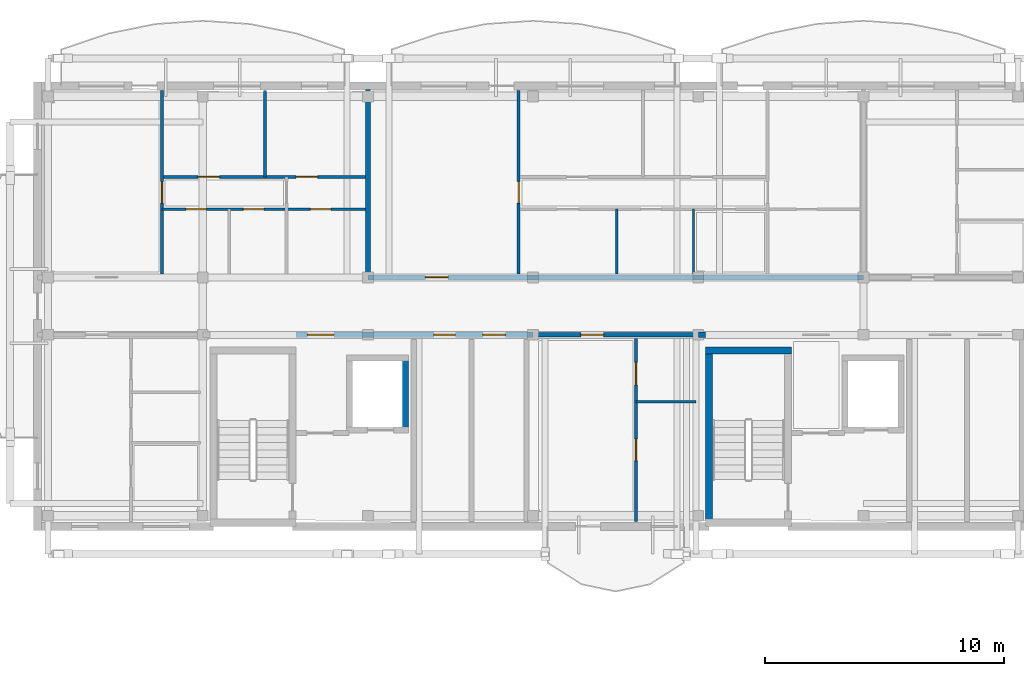
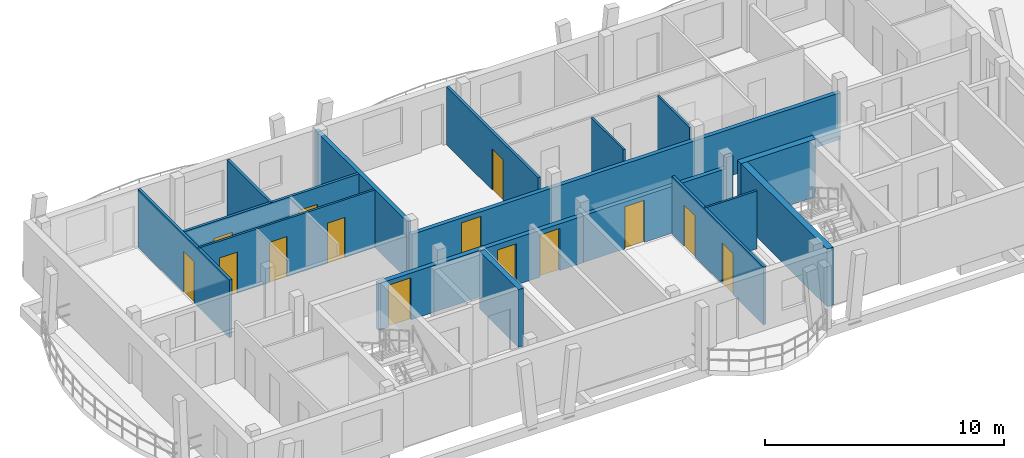
# One storey, part 21 of 42: 17 walls, 14 doors, 14 openings.
"""IFC4 building model written with IfcOpenShell, lengths in metres."""

from ifc_helpers import new_model, si_unit, direction, frame, frame_2d, origin, origin_with_axes, place, context, subcontext, project, spatial, rectangle, extrude, material, layer, layer_set, type_object, element, fill, save


model = new_model("IFC4")

# Units and contexts
model_context = context("Model", 3, precision=1e-05, world=origin(), true_north=direction((0.0, 1.0)))
body_context = subcontext(model_context, "Body", "Model", "MODEL_VIEW")
ifc_project = project(units=[si_unit("LENGTHUNIT", "METRE"), si_unit("AREAUNIT", "SQUARE_METRE"), si_unit("VOLUMEUNIT", "CUBIC_METRE"), si_unit("PLANEANGLEUNIT", "RADIAN"), si_unit("MASSUNIT", "GRAM", prefix="KILO")], contexts=[model_context])

# Site, building, storey
site_placement = place(None, origin())
site = spatial("IfcSite", under=ifc_project, at=site_placement, CompositionType="ELEMENT")
building_placement = place(site_placement, origin())
building = spatial("IfcBuilding", under=site, at=building_placement, Name="Zavelmont Quarter", CompositionType="ELEMENT")
storey_placement = place(building_placement, frame((0.0, 0.0, 24.0)))
storey = spatial("IfcBuildingStorey", under=building, at=storey_placement, Name="L07", CompositionType="ELEMENT", Elevation=24.0)

# Wall
ifc_material_1 = material(Name="Calcium-silicate blockwork and acoustic plaster", Category="masonry")
ifc_layer_1 = layer(ifc_material_1, 0.199951171875)
ifc_layer_set_1 = layer_set([ifc_layer_1], Name="Calcium-silicate blockwork and acoustic plaster")
wall_type_1 = type_object("IfcWallType", Name="IW01", PredefinedType="PARTITIONING", material=ifc_layer_set_1)
wall_1_placement = place(storey_placement, frame((13.800048828125, 108.14990234375, 0.0), z_axis=(0.0, 0.0, 1.0), x_axis=(0.0, 1.0, 0.0)))
element("IfcWall", 1, at=wall_1_placement, inside=storey, type_object=wall_type_1, Name="L07 Inter-dwelling compartment wall IW01", PredefinedType="PARTITIONING", context=body_context, shape_type="SweptSolid", body=[
    extrude(rectangle(XDim=7.7001953125, YDim=0.199951171875, at=frame_2d((3.85009765625, 0.0))), origin(), (0.0, 0.0, 1.0), 2.949951171875),
])

# Wall, opening, door
wall_2_placement = place(storey_placement, frame((13.800048828125, 108.0, 0.0), z_axis=(0.0, 0.0, 1.0), x_axis=(1.0, 0.0, 0.0)))
wall_2 = element("IfcWall", 2, at=wall_2_placement, inside=storey, type_object=wall_type_1, Name="L07 Corridor compartment wall IW01", PredefinedType="PARTITIONING", context=body_context, shape_type="SweptSolid", body=[
    extrude(rectangle(XDim=20.699951171875, YDim=0.199951171875, at=frame_2d((10.35009765625, 0.0))), origin(), (0.0, 0.0, 1.0), 2.389892578125),
])
opening_1_placement = place(wall_2_placement, frame((2.39990234375, 0.0, 0.0)))
opening_1 = element("IfcOpeningElement", 3, at=opening_1_placement, cuts=wall_2, Name="Opening DR02", PredefinedType="OPENING", context=body_context, shape_type="SweptSolid", body=[
    extrude(rectangle(XDim=0.949951171875, YDim=2.14990234375, at=frame_2d((0.47509765625, 1.074951171875))), frame((0.0, 0.11181640625, 0.0), z_axis=(0.0, -1.0, 0.0), x_axis=(1.0, 0.0, 0.0)), (0.0, 0.0, 1.0), 0.223876953125),
])
ifc_material_2 = material(Name="Solid-core oak fire leaf in steel frame", Category="steel")
door_type_1 = type_object("IfcDoorType", Name="DR02", OperationType="NOTDEFINED", PredefinedType="DOOR", material=ifc_material_2)
door_1_placement = place(opening_1_placement, origin_with_axes())
door_1 = element("IfcDoor", 4, at=door_1_placement, inside=storey, type_object=door_type_1, Name="L07 door DR02", OperationType="SINGLE_SWING_RIGHT", OverallHeight=2.14990234375, OverallWidth=0.949951171875, PredefinedType="DOOR", context=body_context, shape_type="SweptSolid", body=[
    extrude(rectangle(XDim=0.949951171875, YDim=2.14990234375, at=frame_2d((0.47509765625, 1.074951171875))), frame((0.0, 0.02490234375, 0.0), z_axis=(0.0, -1.0, 0.0), x_axis=(1.0, 0.0, 0.0)), (0.0, 0.0, 1.0), 0.050048828125),
])
fill(opening_1, door_1)

wall_3_placement = place(storey_placement, frame((20.699951171875, 105.60009765625, 0.0), z_axis=(0.0, 0.0, 1.0), x_axis=(1.0, 0.0, 0.0)))
wall_3 = element("IfcWall", 5, at=wall_3_placement, inside=storey, type_object=wall_type_1, Name="L07 Corridor compartment wall IW01", PredefinedType="PARTITIONING", context=body_context, shape_type="SweptSolid", body=[
    extrude(rectangle(XDim=6.900146484375, YDim=0.199951171875, at=frame_2d((3.4501953125, 0.0))), origin(), (0.0, 0.0, 1.0), 2.389892578125),
])
opening_2_placement = place(wall_3_placement, frame((2.0, 0.0, 0.0)))
opening_2 = element("IfcOpeningElement", 6, at=opening_2_placement, cuts=wall_3, Name="Opening DR02", PredefinedType="OPENING", context=body_context, shape_type="SweptSolid", body=[
    extrude(rectangle(XDim=0.949951171875, YDim=2.14990234375, at=frame_2d((0.47509765625, 1.074951171875))), frame((0.0, 0.11181640625, 0.0), z_axis=(0.0, -1.0, 0.0), x_axis=(1.0, 0.0, 0.0)), (0.0, 0.0, 1.0), 0.223876953125),
])
door_2_placement = place(opening_2_placement, frame((0.949951171875, 0.0, 0.0), z_axis=(0.0, 0.0, 1.0), x_axis=(-1.0, 0.0, 0.0)))
door_2 = element("IfcDoor", 7, at=door_2_placement, inside=storey, type_object=door_type_1, Name="L07 door DR02", OperationType="SINGLE_SWING_RIGHT", OverallHeight=2.14990234375, OverallWidth=0.949951171875, PredefinedType="DOOR", context=body_context, shape_type="SweptSolid", body=[
    extrude(rectangle(XDim=0.949951171875, YDim=2.14990234375, at=frame_2d((0.47509765625, 1.074951171875))), frame((0.0, 0.02490234375, 0.0), z_axis=(0.0, -1.0, 0.0), x_axis=(1.0, 0.0, 0.0)), (0.0, 0.0, 1.0), 0.050048828125),
])
fill(opening_2, door_2)

# Wall, openings, doors
ifc_material_3 = material(Name="Reinforced masonry fire compartment wall", Category="masonry")
ifc_layer_2 = layer(ifc_material_3, 0.22509765625)
ifc_layer_set_2 = layer_set([ifc_layer_2], Name="Reinforced masonry fire compartment wall")
wall_type_2 = type_object("IfcWallType", Name="IW02", PredefinedType="PARTITIONING", material=ifc_layer_set_2)
wall_4_placement = place(storey_placement, frame((10.800048828125, 105.60009765625, 0.0), z_axis=(0.0, 0.0, 1.0), x_axis=(1.0, 0.0, 0.0)))
wall_4 = element("IfcWall", 8, at=wall_4_placement, inside=storey, type_object=wall_type_2, Name="L07 Core corridor fire wall IW02", PredefinedType="PARTITIONING", context=body_context, shape_type="SweptSolid", body=[
    extrude(rectangle(XDim=9.89990234375, YDim=0.22509765625, at=frame_2d((4.949951171875, 0.0))), origin(), (0.0, 0.0, 1.0), 2.389892578125),
])
opening_3_placement = place(wall_4_placement, frame((0.47509765625, 0.0, 0.0)))
opening_3 = element("IfcOpeningElement", 9, at=opening_3_placement, cuts=wall_4, Name="Opening DR10", PredefinedType="OPENING", context=body_context, shape_type="SweptSolid", body=[
    extrude(rectangle(XDim=1.10009765625, YDim=2.14990234375, at=frame_2d((0.550048828125, 1.074951171875))), frame((0.0, 0.12451171875, 0.0), z_axis=(0.0, -1.0, 0.0), x_axis=(1.0, 0.0, 0.0)), (0.0, 0.0, 1.0), 0.2490234375),
])
opening_4_placement = place(wall_4_placement, frame((5.75, 0.0, 0.0)))
opening_4 = element("IfcOpeningElement", 10, at=opening_4_placement, cuts=wall_4, Name="Opening DR11", PredefinedType="OPENING", context=body_context, shape_type="SweptSolid", body=[
    extrude(rectangle(XDim=0.89990234375, YDim=2.10009765625, at=frame_2d((0.449951171875, 1.050048828125))), frame((0.0, 0.12451171875, 0.0), z_axis=(0.0, -1.0, 0.0), x_axis=(1.0, 0.0, 0.0)), (0.0, 0.0, 1.0), 0.2490234375),
])
opening_5_placement = place(wall_4_placement, frame((7.800048828125, 0.0, 0.0)))
opening_5 = element("IfcOpeningElement", 11, at=opening_5_placement, cuts=wall_4, Name="Opening DR02", PredefinedType="OPENING", context=body_context, shape_type="SweptSolid", body=[
    extrude(rectangle(XDim=0.949951171875, YDim=2.14990234375, at=frame_2d((0.47509765625, 1.074951171875))), frame((0.0, 0.12451171875, 0.0), z_axis=(0.0, -1.0, 0.0), x_axis=(1.0, 0.0, 0.0)), (0.0, 0.0, 1.0), 0.2490234375),
])
door_3_placement = place(opening_5_placement, origin_with_axes())
door_3 = element("IfcDoor", 12, at=door_3_placement, inside=storey, type_object=door_type_1, Name="Auxiliary store corridor door", OperationType="SINGLE_SWING_RIGHT", OverallHeight=2.14990234375, OverallWidth=0.949951171875, PredefinedType="DOOR", context=body_context, shape_type="SweptSolid", body=[
    extrude(rectangle(XDim=0.949951171875, YDim=2.14990234375, at=frame_2d((0.47509765625, 1.074951171875))), frame((0.0, 0.02490234375, 0.0), z_axis=(0.0, -1.0, 0.0), x_axis=(1.0, 0.0, 0.0)), (0.0, 0.0, 1.0), 0.050048828125),
])
fill(opening_5, door_3)
ifc_material_4 = material(Name="Painted steel lobby fire door", Category="steel")
door_type_2 = type_object("IfcDoorType", Name="DR10", OperationType="NOTDEFINED", PredefinedType="DOOR", material=ifc_material_4)
door_4_placement = place(opening_3_placement, frame((1.10009765625, 0.0, 0.0), z_axis=(0.0, 0.0, 1.0), x_axis=(-1.0, 0.0, 0.0)))
door_4 = element("IfcDoor", 13, at=door_4_placement, inside=storey, type_object=door_type_2, Name="Core vestibule fire door", OperationType="SINGLE_SWING_RIGHT", OverallHeight=2.14990234375, OverallWidth=1.10009765625, PredefinedType="DOOR", context=body_context, shape_type="SweptSolid", body=[
    extrude(rectangle(XDim=1.10009765625, YDim=2.14990234375, at=frame_2d((0.550048828125, 1.074951171875))), frame((0.0, 0.02490234375, 0.0), z_axis=(0.0, -1.0, 0.0), x_axis=(1.0, 0.0, 0.0)), (0.0, 0.0, 1.0), 0.050048828125),
])
fill(opening_3, door_4)
ifc_material_5 = material(Name="Painted steel service-riser fire door", Category="steel")
door_type_3 = type_object("IfcDoorType", Name="DR11", OperationType="NOTDEFINED", PredefinedType="DOOR", material=ifc_material_5)
door_5_placement = place(opening_4_placement, origin_with_axes())
door_5 = element("IfcDoor", 14, at=door_5_placement, inside=storey, type_object=door_type_3, Name="Service riser fire door", OperationType="SINGLE_SWING_LEFT", OverallHeight=2.10009765625, OverallWidth=0.89990234375, PredefinedType="DOOR", context=body_context, shape_type="SweptSolid", body=[
    extrude(rectangle(XDim=0.89990234375, YDim=2.10009765625, at=frame_2d((0.449951171875, 1.050048828125))), frame((0.0, 0.02490234375, 0.0), z_axis=(0.0, -1.0, 0.0), x_axis=(1.0, 0.0, 0.0)), (0.0, 0.0, 1.0), 0.050048828125),
])
fill(opening_4, door_5)

# Wall
wall_5_placement = place(storey_placement, frame((27.60009765625, 105.60009765625, 0.0), z_axis=(0.0, 0.0, 1.0), x_axis=(1.0, 0.0, 0.0)))
element("IfcWall", 15, at=wall_5_placement, inside=storey, type_object=wall_type_2, Name="L07 Core corridor wall IW02", PredefinedType="PARTITIONING", context=body_context, shape_type="SweptSolid", body=[
    extrude(rectangle(XDim=0.2998046875, YDim=0.22509765625, at=frame_2d((0.14990234375, 0.0))), origin(), (0.0, 0.0, 1.0), 2.949951171875),
])

# Wall, opening, door
ifc_material_6 = material(Name="Double gypsum board on acoustic steel stud", Category="steel")
ifc_layer_3 = layer(ifc_material_6, 0.125)
ifc_layer_set_3 = layer_set([ifc_layer_3], Name="Double gypsum board on acoustic steel stud")
wall_type_3 = type_object("IfcWallType", Name="IW03", PredefinedType="PARTITIONING", material=ifc_layer_set_3)
wall_6_placement = place(storey_placement, frame((5.199951171875, 108.14990234375, 0.0), z_axis=(0.0, 0.0, 1.0), x_axis=(0.0, 1.0, 0.0)))
wall_6 = element("IfcWall", 16, at=wall_6_placement, inside=storey, type_object=wall_type_3, Name="L07 Partition IW03", PredefinedType="PARTITIONING", context=body_context, shape_type="SweptSolid", body=[
    extrude(rectangle(XDim=7.650146484375, YDim=0.125, at=frame_2d((3.8251953125, 0.0))), origin(), (0.0, 0.0, 1.0), 2.949951171875),
])
opening_6_placement = place(wall_6_placement, frame((2.949951171875, 0.0, 0.0)))
opening_6 = element("IfcOpeningElement", 17, at=opening_6_placement, cuts=wall_6, Name="Opening DR05", PredefinedType="OPENING", context=body_context, shape_type="SweptSolid", body=[
    extrude(rectangle(XDim=0.89990234375, YDim=2.10009765625, at=frame_2d((0.449951171875, 1.050048828125))), frame((0.0, 0.074462890625, 0.0), z_axis=(0.0, -1.0, 0.0), x_axis=(1.0, 0.0, 0.0)), (0.0, 0.0, 1.0), 0.14892578125),
])
ifc_material_7 = material(Name="Engineered oak flush interior door")
door_type_4 = type_object("IfcDoorType", Name="DR05", OperationType="NOTDEFINED", PredefinedType="DOOR", material=ifc_material_7)
door_6_placement = place(opening_6_placement, frame((0.89990234375, 0.0, 0.0), z_axis=(0.0, 0.0, 1.0), x_axis=(-1.0, 0.0, 0.0)))
door_6 = element("IfcDoor", 18, at=door_6_placement, inside=storey, type_object=door_type_4, Name="L07 door DR05", OperationType="SINGLE_SWING_LEFT", OverallHeight=2.10009765625, OverallWidth=0.89990234375, PredefinedType="DOOR", context=body_context, shape_type="SweptSolid", body=[
    extrude(rectangle(XDim=0.89990234375, YDim=2.10009765625, at=frame_2d((0.449951171875, 1.050048828125))), frame((0.0, 0.02490234375, 0.0), z_axis=(0.0, -1.0, 0.0), x_axis=(1.0, 0.0, 0.0)), (0.0, 0.0, 1.0), 0.050048828125),
])
fill(opening_6, door_6)

# Wall
wall_7_placement = place(storey_placement, frame((9.5, 112.199951171875, 0.0), z_axis=(0.0, 0.0, 1.0), x_axis=(0.0, 1.0, 0.0)))
element("IfcWall", 19, at=wall_7_placement, inside=storey, type_object=wall_type_3, Name="L07 Partition IW03", PredefinedType="PARTITIONING", context=body_context, shape_type="SweptSolid", body=[
    extrude(rectangle(XDim=3.60009765625, YDim=0.125, at=frame_2d((1.800048828125, 0.0))), origin(), (0.0, 0.0, 1.0), 2.949951171875),
])

# Wall, openings, doors
wall_8_placement = place(storey_placement, frame((5.199951171875, 112.199951171875, 0.0), z_axis=(0.0, 0.0, 1.0), x_axis=(1.0, 0.0, 0.0)))
wall_8 = element("IfcWall", 20, at=wall_8_placement, inside=storey, type_object=wall_type_3, Name="L07 Partition IW03", PredefinedType="PARTITIONING", context=body_context, shape_type="SweptSolid", body=[
    extrude(rectangle(XDim=8.5, YDim=0.125, at=frame_2d((4.25, 0.0))), origin(), (0.0, 0.0, 1.0), 2.949951171875),
])
opening_7_placement = place(wall_8_placement, frame((1.5, 0.0, 0.0)))
opening_7 = element("IfcOpeningElement", 21, at=opening_7_placement, cuts=wall_8, Name="Opening DR05", PredefinedType="OPENING", context=body_context, shape_type="SweptSolid", body=[
    extrude(rectangle(XDim=0.89990234375, YDim=2.10009765625, at=frame_2d((0.449951171875, 1.050048828125))), frame((0.0, 0.074462890625, 0.0), z_axis=(0.0, -1.0, 0.0), x_axis=(1.0, 0.0, 0.0)), (0.0, 0.0, 1.0), 0.14892578125),
])
opening_8_placement = place(wall_8_placement, frame((5.60009765625, 0.0, 0.0)))
opening_8 = element("IfcOpeningElement", 22, at=opening_8_placement, cuts=wall_8, Name="Opening DR05", PredefinedType="OPENING", context=body_context, shape_type="SweptSolid", body=[
    extrude(rectangle(XDim=0.89990234375, YDim=2.10009765625, at=frame_2d((0.449951171875, 1.050048828125))), frame((0.0, 0.074462890625, 0.0), z_axis=(0.0, -1.0, 0.0), x_axis=(1.0, 0.0, 0.0)), (0.0, 0.0, 1.0), 0.14892578125),
])
door_7_placement = place(opening_7_placement, origin_with_axes())
door_7 = element("IfcDoor", 23, at=door_7_placement, inside=storey, type_object=door_type_4, Name="L07 door DR05", OperationType="SINGLE_SWING_RIGHT", OverallHeight=2.10009765625, OverallWidth=0.89990234375, PredefinedType="DOOR", context=body_context, shape_type="SweptSolid", body=[
    extrude(rectangle(XDim=0.89990234375, YDim=2.10009765625, at=frame_2d((0.449951171875, 1.050048828125))), frame((0.0, 0.02490234375, 0.0), z_axis=(0.0, -1.0, 0.0), x_axis=(1.0, 0.0, 0.0)), (0.0, 0.0, 1.0), 0.050048828125),
])
fill(opening_7, door_7)
door_8_placement = place(opening_8_placement, frame((0.89990234375, 0.0, 0.0), z_axis=(0.0, 0.0, 1.0), x_axis=(-1.0, 0.0, 0.0)))
door_8 = element("IfcDoor", 24, at=door_8_placement, inside=storey, type_object=door_type_4, Name="L07 door DR05", OperationType="SINGLE_SWING_LEFT", OverallHeight=2.10009765625, OverallWidth=0.89990234375, PredefinedType="DOOR", context=body_context, shape_type="SweptSolid", body=[
    extrude(rectangle(XDim=0.89990234375, YDim=2.10009765625, at=frame_2d((0.449951171875, 1.050048828125))), frame((0.0, 0.02490234375, 0.0), z_axis=(0.0, -1.0, 0.0), x_axis=(1.0, 0.0, 0.0)), (0.0, 0.0, 1.0), 0.050048828125),
])
fill(opening_8, door_8)

# Wall, opening, door
wall_9_placement = place(storey_placement, frame((20.10009765625, 108.14990234375, 0.0), z_axis=(0.0, 0.0, 1.0), x_axis=(0.0, 1.0, 0.0)))
wall_9 = element("IfcWall", 25, at=wall_9_placement, inside=storey, type_object=wall_type_3, Name="L07 Partition IW03", PredefinedType="PARTITIONING", context=body_context, shape_type="SweptSolid", body=[
    extrude(rectangle(XDim=7.650146484375, YDim=0.125, at=frame_2d((3.8251953125, 0.0))), origin(), (0.0, 0.0, 1.0), 2.949951171875),
])
opening_9_placement = place(wall_9_placement, frame((2.949951171875, 0.0, 0.0)))
opening_9 = element("IfcOpeningElement", 26, at=opening_9_placement, cuts=wall_9, Name="Opening DR05", PredefinedType="OPENING", context=body_context, shape_type="SweptSolid", body=[
    extrude(rectangle(XDim=0.89990234375, YDim=2.10009765625, at=frame_2d((0.449951171875, 1.050048828125))), frame((0.0, 0.074462890625, 0.0), z_axis=(0.0, -1.0, 0.0), x_axis=(1.0, 0.0, 0.0)), (0.0, 0.0, 1.0), 0.14892578125),
])
door_9_placement = place(opening_9_placement, frame((0.89990234375, 0.0, 0.0), z_axis=(0.0, 0.0, 1.0), x_axis=(-1.0, 0.0, 0.0)))
door_9 = element("IfcDoor", 27, at=door_9_placement, inside=storey, type_object=door_type_4, Name="L07 door DR05", OperationType="SINGLE_SWING_RIGHT", OverallHeight=2.10009765625, OverallWidth=0.89990234375, PredefinedType="DOOR", context=body_context, shape_type="SweptSolid", body=[
    extrude(rectangle(XDim=0.89990234375, YDim=2.10009765625, at=frame_2d((0.449951171875, 1.050048828125))), frame((0.0, 0.02490234375, 0.0), z_axis=(0.0, -1.0, 0.0), x_axis=(1.0, 0.0, 0.0)), (0.0, 0.0, 1.0), 0.050048828125),
])
fill(opening_9, door_9)

# Wall, openings, doors
wall_10_placement = place(storey_placement, frame((25.0, 105.449951171875, 0.0), z_axis=(0.0, 0.0, 1.0), x_axis=(0.0, -1.0, 0.0)))
wall_10 = element("IfcWall", 28, at=wall_10_placement, inside=storey, type_object=wall_type_3, Name="L07 Partition IW03", PredefinedType="PARTITIONING", context=body_context, shape_type="SweptSolid", body=[
    extrude(rectangle(XDim=7.64990234375, YDim=0.125, at=frame_2d((3.824951171875, 0.0))), origin(), (0.0, 0.0, 1.0), 2.949951171875),
])
opening_10_placement = place(wall_10_placement, frame((1.0, 0.0, 0.0)))
opening_10 = element("IfcOpeningElement", 29, at=opening_10_placement, cuts=wall_10, Name="Opening DR17", PredefinedType="OPENING", context=body_context, shape_type="SweptSolid", body=[
    extrude(rectangle(XDim=0.949951171875, YDim=2.10009765625, at=frame_2d((0.47509765625, 1.050048828125))), frame((0.0, 0.074462890625, 0.0), z_axis=(0.0, -1.0, 0.0), x_axis=(1.0, 0.0, 0.0)), (0.0, 0.0, 1.0), 0.14892578125),
])
opening_11_placement = place(wall_10_placement, frame((4.199951171875, 0.0, 0.0)))
opening_11 = element("IfcOpeningElement", 30, at=opening_11_placement, cuts=wall_10, Name="Opening DR05", PredefinedType="OPENING", context=body_context, shape_type="SweptSolid", body=[
    extrude(rectangle(XDim=0.89990234375, YDim=2.10009765625, at=frame_2d((0.449951171875, 1.050048828125))), frame((0.0, 0.074462890625, 0.0), z_axis=(0.0, -1.0, 0.0), x_axis=(1.0, 0.0, 0.0)), (0.0, 0.0, 1.0), 0.14892578125),
])
door_10_placement = place(opening_11_placement, frame((0.89990234375, 0.0, 0.0), z_axis=(0.0, 0.0, 1.0), x_axis=(-1.0, 0.0, 0.0)))
door_10 = element("IfcDoor", 31, at=door_10_placement, inside=storey, type_object=door_type_4, Name="L07 door DR05", OperationType="SINGLE_SWING_LEFT", OverallHeight=2.10009765625, OverallWidth=0.89990234375, PredefinedType="DOOR", context=body_context, shape_type="SweptSolid", body=[
    extrude(rectangle(XDim=0.89990234375, YDim=2.10009765625, at=frame_2d((0.449951171875, 1.050048828125))), frame((0.0, 0.02490234375, 0.0), z_axis=(0.0, -1.0, 0.0), x_axis=(1.0, 0.0, 0.0)), (0.0, 0.0, 1.0), 0.050048828125),
])
fill(opening_11, door_10)
ifc_material_8 = material(Name="Accessible washroom flush door")
door_type_5 = type_object("IfcDoorType", Name="DR17", OperationType="NOTDEFINED", PredefinedType="DOOR", material=ifc_material_8)
door_11_placement = place(opening_10_placement, origin_with_axes())
door_11 = element("IfcDoor", 32, at=door_11_placement, inside=storey, type_object=door_type_5, Name="L07 door DR17", OperationType="SINGLE_SWING_RIGHT", OverallHeight=2.10009765625, OverallWidth=0.949951171875, PredefinedType="DOOR", context=body_context, shape_type="SweptSolid", body=[
    extrude(rectangle(XDim=0.949951171875, YDim=2.10009765625, at=frame_2d((0.47509765625, 1.050048828125))), frame((0.0, 0.02490234375, 0.0), z_axis=(0.0, -1.0, 0.0), x_axis=(1.0, 0.0, 0.0)), (0.0, 0.0, 1.0), 0.050048828125),
])
fill(opening_10, door_11)

ifc_material_9 = material(Name="Moisture-resistant gypsum board on steel stud", Category="steel")
ifc_layer_4 = layer(ifc_material_9, 0.10009765625)
ifc_layer_set_4 = layer_set([ifc_layer_4], Name="Moisture-resistant gypsum board on steel stud")
wall_type_4 = type_object("IfcWallType", Name="IW04", PredefinedType="PARTITIONING", material=ifc_layer_set_4)
wall_11_placement = place(storey_placement, frame((5.199951171875, 110.85009765625, 0.0), z_axis=(0.0, 0.0, 1.0), x_axis=(1.0, 0.0, 0.0)))
wall_11 = element("IfcWall", 33, at=wall_11_placement, inside=storey, type_object=wall_type_4, Name="L07 Partition IW04", PredefinedType="PARTITIONING", context=body_context, shape_type="SweptSolid", body=[
    extrude(rectangle(XDim=8.5, YDim=0.10009765625, at=frame_2d((4.25, 0.0))), origin(), (0.0, 0.0, 1.0), 2.949951171875),
])
opening_12_placement = place(wall_11_placement, frame((1.0, 0.0, 0.0)))
opening_12 = element("IfcOpeningElement", 34, at=opening_12_placement, cuts=wall_11, Name="Opening DR16", PredefinedType="OPENING", context=body_context, shape_type="SweptSolid", body=[
    extrude(rectangle(XDim=0.85009765625, YDim=2.10009765625, at=frame_2d((0.425048828125, 1.050048828125))), frame((0.0, 0.06201171875, 0.0), z_axis=(0.0, -1.0, 0.0), x_axis=(1.0, 0.0, 0.0)), (0.0, 0.0, 1.0), 0.1240234375),
])
opening_13_placement = place(wall_11_placement, frame((3.39990234375, 0.0, 0.0)))
opening_13 = element("IfcOpeningElement", 35, at=opening_13_placement, cuts=wall_11, Name="Opening DR06", PredefinedType="OPENING", context=body_context, shape_type="SweptSolid", body=[
    extrude(rectangle(XDim=0.85009765625, YDim=2.050048828125, at=frame_2d((0.425048828125, 1.02490234375))), frame((0.0, 0.06201171875, 0.0), z_axis=(0.0, -1.0, 0.0), x_axis=(1.0, 0.0, 0.0)), (0.0, 0.0, 1.0), 0.1240234375),
])
opening_14_placement = place(wall_11_placement, frame((6.199951171875, 0.0, 0.0)))
opening_14 = element("IfcOpeningElement", 36, at=opening_14_placement, cuts=wall_11, Name="Opening DR06", PredefinedType="OPENING", context=body_context, shape_type="SweptSolid", body=[
    extrude(rectangle(XDim=0.85009765625, YDim=2.050048828125, at=frame_2d((0.425048828125, 1.02490234375))), frame((0.0, 0.06201171875, 0.0), z_axis=(0.0, -1.0, 0.0), x_axis=(1.0, 0.0, 0.0)), (0.0, 0.0, 1.0), 0.1240234375),
])
ifc_material_10 = material(Name="Moisture-resistant painted wet-room door")
door_type_6 = type_object("IfcDoorType", Name="DR06", OperationType="NOTDEFINED", PredefinedType="DOOR", material=ifc_material_10)
door_12_placement = place(opening_13_placement, origin_with_axes())
door_12 = element("IfcDoor", 37, at=door_12_placement, inside=storey, type_object=door_type_6, Name="L07 door DR06", OperationType="SINGLE_SWING_RIGHT", OverallHeight=2.050048828125, OverallWidth=0.85009765625, PredefinedType="DOOR", context=body_context, shape_type="SweptSolid", body=[
    extrude(rectangle(XDim=0.85009765625, YDim=2.050048828125, at=frame_2d((0.425048828125, 1.02490234375))), frame((0.0, 0.02490234375, 0.0), z_axis=(0.0, -1.0, 0.0), x_axis=(1.0, 0.0, 0.0)), (0.0, 0.0, 1.0), 0.050048828125),
])
fill(opening_13, door_12)
door_13_placement = place(opening_14_placement, frame((0.85009765625, 0.0, 0.0), z_axis=(0.0, 0.0, 1.0), x_axis=(-1.0, 0.0, 0.0)))
door_13 = element("IfcDoor", 38, at=door_13_placement, inside=storey, type_object=door_type_6, Name="L07 door DR06", OperationType="SINGLE_SWING_LEFT", OverallHeight=2.050048828125, OverallWidth=0.85009765625, PredefinedType="DOOR", context=body_context, shape_type="SweptSolid", body=[
    extrude(rectangle(XDim=0.85009765625, YDim=2.050048828125, at=frame_2d((0.425048828125, 1.02490234375))), frame((0.0, 0.02490234375, 0.0), z_axis=(0.0, -1.0, 0.0), x_axis=(1.0, 0.0, 0.0)), (0.0, 0.0, 1.0), 0.050048828125),
])
fill(opening_14, door_13)
door_type_7 = type_object("IfcDoorType", Name="DR16", OperationType="NOTDEFINED", PredefinedType="DOOR", material=ifc_material_7)
door_14_placement = place(opening_12_placement, frame((0.85009765625, 0.0, 0.0), z_axis=(0.0, 0.0, 1.0), x_axis=(-1.0, 0.0, 0.0)))
door_14 = element("IfcDoor", 39, at=door_14_placement, inside=storey, type_object=door_type_7, Name="L07 door DR16", OperationType="SINGLE_SWING_LEFT", OverallHeight=2.10009765625, OverallWidth=0.85009765625, PredefinedType="DOOR", context=body_context, shape_type="SweptSolid", body=[
    extrude(rectangle(XDim=0.85009765625, YDim=2.10009765625, at=frame_2d((0.425048828125, 1.050048828125))), frame((0.0, 0.02490234375, 0.0), z_axis=(0.0, -1.0, 0.0), x_axis=(1.0, 0.0, 0.0)), (0.0, 0.0, 1.0), 0.050048828125),
])
fill(opening_12, door_14)

# Walls
for number, where, z_axis, x_axis, name in (
    (40, (24.199951171875, 108.14990234375, 0.0), (0.0, 0.0, 1.0), (0.0, 1.0, 0.0), "L07 Partition IW04"),
    (41, (27.39990234375, 108.14990234375, 0.0), (0.0, 0.0, 1.0), (0.0, 1.0, 0.0), "L07 Partition IW04"),
):
    element("IfcWall", number, at=place(storey_placement, frame(where, z_axis=z_axis, x_axis=x_axis)), inside=storey, type_object=wall_type_4, Name=name, PredefinedType="PARTITIONING", context=body_context, shape_type="SweptSolid", body=[
        extrude(rectangle(XDim=2.7001953125, YDim=0.10009765625, at=frame_2d((1.35009765625, 0.0))), origin(), (0.0, 0.0, 1.0), 2.949951171875),
    ])
wall_12_placement = place(storey_placement, frame((25.0, 102.800048828125, 0.0), z_axis=(0.0, 0.0, 1.0), x_axis=(1.0, 0.0, 0.0)))
element("IfcWall", 42, at=wall_12_placement, inside=storey, type_object=wall_type_4, Name="L07 Partition IW04", PredefinedType="PARTITIONING", context=body_context, shape_type="SweptSolid", body=[
    extrude(rectangle(XDim=2.5, YDim=0.10009765625, at=frame_2d((1.25, 0.0))), origin(), (0.0, 0.0, 1.0), 2.949951171875),
])
ifc_material_11 = material(Name="Concrete C40/50", Category="concrete")
ifc_layer_5 = layer(ifc_material_11, 0.300048828125)
ifc_layer_set_5 = layer_set([ifc_layer_5], Name="Concrete C40/50")
wall_type_5 = type_object("IfcWallType", Name="SW01", PredefinedType="SHEAR", material=ifc_layer_set_5)
wall_13_placement = place(storey_placement, frame((27.89990234375, 104.949951171875, 0.0), z_axis=(0.0, 0.0, 1.0), x_axis=(1.0, 0.0, 0.0)))
element("IfcWall", 43, at=wall_13_placement, inside=storey, type_object=wall_type_5, Name="L07 ST04 corridor shear wall SW01", PredefinedType="SHEAR", context=body_context, shape_type="SweptSolid", body=[
    extrude(rectangle(XDim=3.60009765625, YDim=0.300048828125, at=frame_2d((1.800048828125, 0.0))), origin(), (0.0, 0.0, 1.0), 2.949951171875),
])
wall_14_placement = place(storey_placement, frame((28.050048828125, 97.60009765625, 0.0), z_axis=(0.0, 0.0, 1.0), x_axis=(0.0, 1.0, 0.0)))
element("IfcWall", 44, at=wall_14_placement, inside=storey, type_object=wall_type_5, Name="L07 ST04 west shear wall SW01", PredefinedType="SHEAR", context=body_context, shape_type="SweptSolid", body=[
    extrude(rectangle(XDim=7.5, YDim=0.300048828125, at=frame_2d((3.75, 0.0))), origin(), (0.0, 0.0, 1.0), 2.949951171875),
])
ifc_layer_6 = layer(ifc_material_11, 0.25)
ifc_layer_set_6 = layer_set([ifc_layer_6], Name="Concrete C40/50")
wall_type_6 = type_object("IfcWallType", Name="SW02", PredefinedType="SHEAR", material=ifc_layer_set_6)
wall_15_placement = place(storey_placement, frame((15.375, 101.5, 0.0), z_axis=(0.0, 0.0, 1.0), x_axis=(0.0, 1.0, 0.0)))
element("IfcWall", 45, at=wall_15_placement, inside=storey, type_object=wall_type_6, Name="L07 Lift FL02 east shaft wall SW02", PredefinedType="SHEAR", context=body_context, shape_type="SweptSolid", body=[
    extrude(rectangle(XDim=3.25, YDim=0.25, at=frame_2d((1.625, 0.0))), origin(), (0.0, 0.0, 1.0), 2.949951171875),
])

save(model, "model.ifc")
